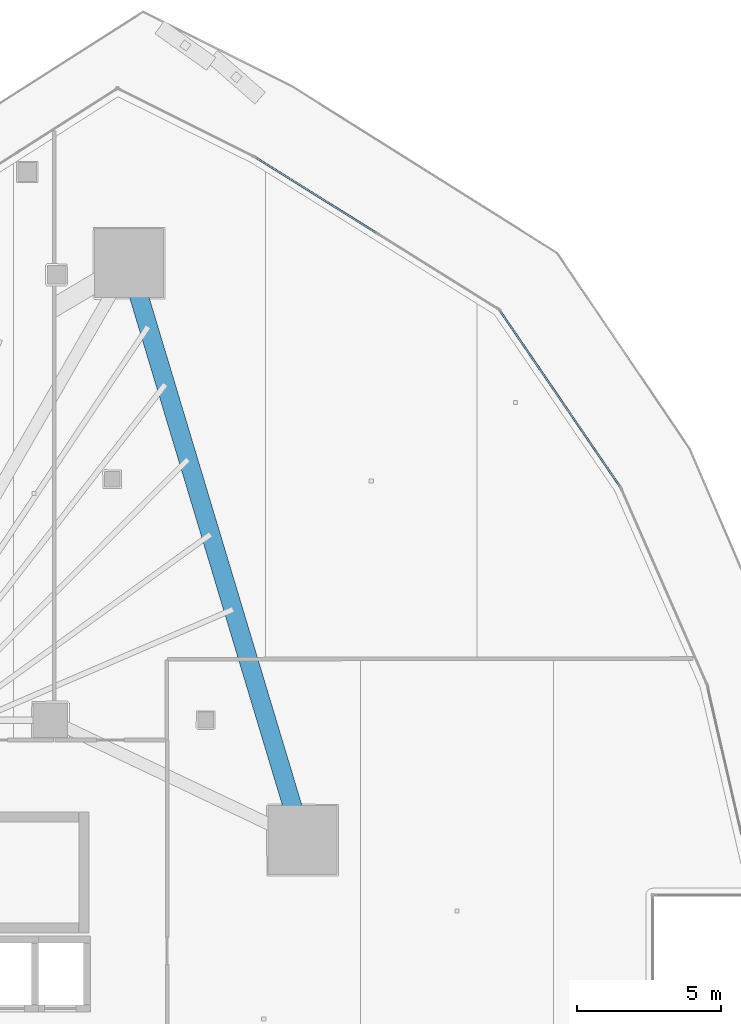
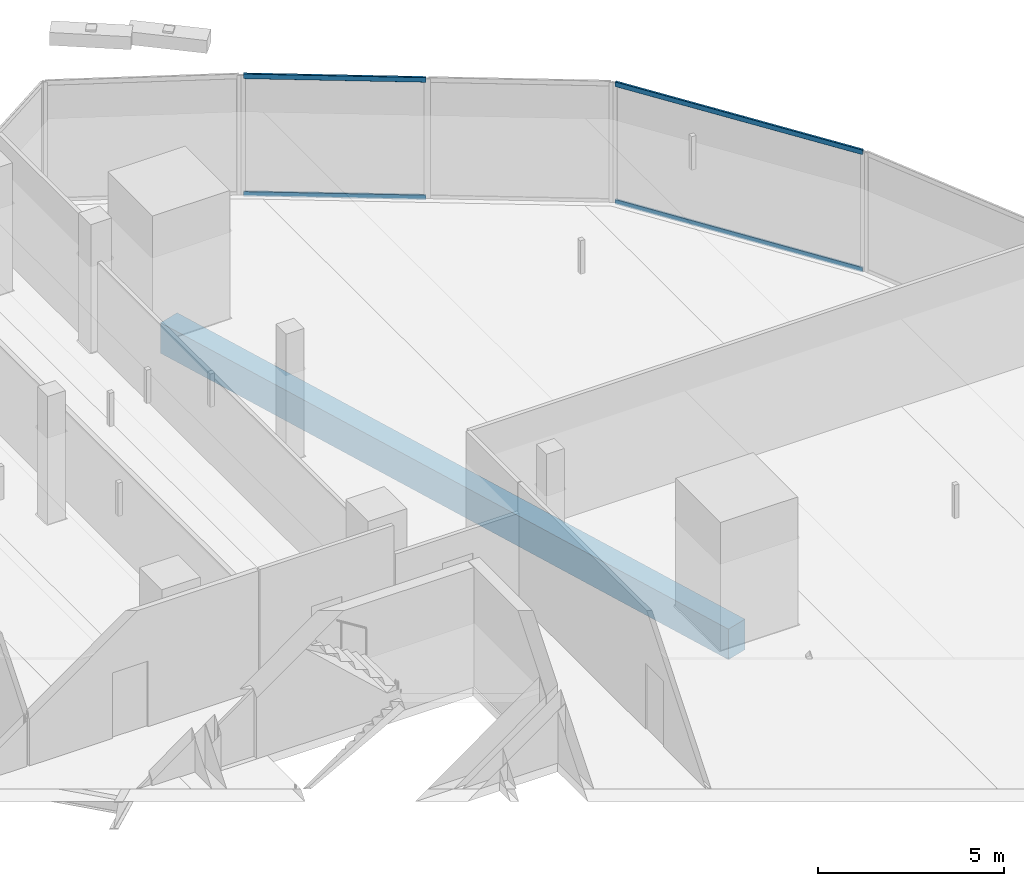
# One storey, part 21 of 44: 4 members, 1 beam, 2 elements without a shape of their own.
"""IFC4 building model written with IfcOpenShell, lengths in metres."""

import ifcopenshell
import ifcopenshell.guid

model = None  # the IFC model being written
_history = None  # IfcOwnerHistory: only IFC2X3 demands one
_inside = {}  # id of a spatial element -> (the spatial element, [elements in it])
_under = {}  # id of a project, library or spatial element -> (it, [spatial elements below it])
_declared = {}  # id of a project -> (the project, [libraries it declares])
_typed = {}  # id of a type object -> (the type object, [elements of that type])
_made_of = {}  # id of a material, layer set ... -> (it, [elements and type objects made of it])


def new_model(schema):
    """Start an empty IFC model of exactly this schema.

    Asked for "IFC4X3", IfcOpenShell would pick the latest addendum, in which some entities
    have other attributes; the version numbers below select the first issue.
    IFC2X3 requires an IfcOwnerHistory on every rooted entity: one is made here for all.
    """
    global model, _history
    if schema == "IFC4X3":
        model = ifcopenshell.file(schema_version=(4, 3, 0, 0))
    else:
        model = ifcopenshell.file(schema=schema)
    _inside.clear()
    _under.clear()
    _declared.clear()
    _typed.clear()
    _made_of.clear()
    _history = None
    if model.schema == "IFC2X3":
        org = make("IfcOrganization", Name="unknown")
        user = make(
            "IfcPersonAndOrganization",
            ThePerson=make("IfcPerson", FamilyName="unknown"),
            TheOrganization=org,
        )
        app = make(
            "IfcApplication",
            ApplicationDeveloper=org,
            Version="unknown",
            ApplicationFullName="unknown",
            ApplicationIdentifier="unknown",
        )
        _history = make(
            "IfcOwnerHistory",
            OwningUser=user,
            OwningApplication=app,
            ChangeAction="ADDED",
            CreationDate=0,
        )
    return model


def make(cls, **values):
    """One entity of the class cls with the attributes given. An attribute that is None is left unset."""
    return model.create_entity(
        cls, **{name: value for name, value in values.items() if value is not None}
    )


def rooted(cls, **values):
    """An entity with a GlobalId (a new one), such as an element, a storey or a relation."""
    return make(cls, GlobalId=ifcopenshell.guid.new(), OwnerHistory=_history, **values)


def si_unit(unit_type, name, prefix=None):
    """IfcSIUnit, for example si_unit("LENGTHUNIT", "METRE", prefix="MILLI")."""
    return make("IfcSIUnit", UnitType=unit_type, Prefix=prefix, Name=name)


def assignment(units):
    """IfcUnitAssignment: the units of a project."""
    return None if units is None else make("IfcUnitAssignment", Units=units)


def point(xyz):
    """IfcCartesianPoint."""
    return None if xyz is None else make("IfcCartesianPoint", Coordinates=xyz)


def direction(xyz):
    """IfcDirection."""
    return None if xyz is None else make("IfcDirection", DirectionRatios=xyz)


def frame(location, z_axis=None, x_axis=None):
    """IfcAxis2Placement3D, a coordinate frame: its origin and axes. An axis left out is left unset."""
    return make(
        "IfcAxis2Placement3D",
        Location=point(location),
        Axis=direction(z_axis),
        RefDirection=direction(x_axis),
    )


def frame_2d(location, x_axis=None):
    """IfcAxis2Placement2D, a coordinate frame in the plane: its origin and x axis."""
    return make(
        "IfcAxis2Placement2D", Location=point(location), RefDirection=direction(x_axis)
    )


def origin():
    """The frame at (0, 0, 0) with its axes left unset."""
    return frame((0.0, 0.0, 0.0))


def origin_2d():
    """The frame at (0, 0) in the plane with its x axis left unset."""
    return frame_2d((0.0, 0.0))


def place(relative_to, where):
    """IfcLocalPlacement: puts the frame where relative to a parent placement (None: the world)."""
    return make(
        "IfcLocalPlacement", PlacementRelTo=relative_to, RelativePlacement=where
    )


def context(
    kind, dimensions, precision=None, world=None, true_north=None, identifier=None
):
    """IfcGeometricRepresentationContext, for example the 3D "Model" context."""
    return make(
        "IfcGeometricRepresentationContext",
        ContextIdentifier=identifier,
        ContextType=kind,
        CoordinateSpaceDimension=dimensions,
        Precision=precision,
        WorldCoordinateSystem=world,
        TrueNorth=true_north,
    )


def subcontext(parent, identifier, kind, view, scale=None):
    """IfcGeometricRepresentationSubContext, for example "Body" below "Model"."""
    return make(
        "IfcGeometricRepresentationSubContext",
        ContextIdentifier=identifier,
        ContextType=kind,
        ParentContext=parent,
        TargetScale=scale,
        TargetView=view,
    )


def project(units=None, contexts=None):
    """IfcProject with its units and contexts."""
    return rooted(
        "IfcProject",
        Name="project",
        RepresentationContexts=contexts,
        UnitsInContext=assignment(units),
    )


def spatial(cls, under=None, at=None, **own):
    """A site, building, storey or space (cls), placed at a placement, below another one or the project."""
    s = rooted(cls, ObjectPlacement=at, **own)
    if under is not None:
        _under.setdefault(under.id(), (under, []))[1].append(s)
    return s


def profile(cls, at=None, kind="AREA", **sizes):
    """A parametric profile (cls). Its sizes go by their IFC names, for example OverallWidth=200.0."""
    return make(cls, ProfileType=kind, Position=at, **sizes)


def rectangle(**sizes):
    """IfcRectangleProfileDef."""
    return profile("IfcRectangleProfileDef", **sizes)


def hollow_rectangle(**sizes):
    """IfcRectangleHollowProfileDef."""
    return profile("IfcRectangleHollowProfileDef", **sizes)


def extrude(swept, where, along, depth):
    """IfcExtrudedAreaSolid: the profile swept, set in the frame where, extruded along a direction by depth."""
    return make(
        "IfcExtrudedAreaSolid",
        SweptArea=swept,
        Position=where,
        ExtrudedDirection=direction(along),
        Depth=depth,
    )


def shape(context_of_items, identifier, shape_type, items):
    """IfcShapeRepresentation: the items that make up one representation, for example the "Body"."""
    return make(
        "IfcShapeRepresentation",
        ContextOfItems=context_of_items,
        RepresentationIdentifier=identifier,
        RepresentationType=shape_type,
        Items=items,
    )


def material(Name=None, Category=None):
    """IfcMaterial."""
    return make("IfcMaterial", Name=Name, Category=Category)


def layer(
    of_material, thickness, ventilated=None, Name=None, Category=None, Priority=None
):
    """IfcMaterialLayer: one layer of a wall or slab, of a material (None: an air gap)."""
    return make(
        "IfcMaterialLayer",
        Material=of_material,
        LayerThickness=thickness,
        IsVentilated=ventilated,
        Name=Name,
        Category=Category,
        Priority=Priority,
    )


def layer_set(layers, Name=None):
    """IfcMaterialLayerSet."""
    return make("IfcMaterialLayerSet", MaterialLayers=layers, LayerSetName=Name)


def material_profile(
    of_material, cross_section, Name=None, Category=None, Priority=None
):
    """IfcMaterialProfile: a cross section and its material."""
    return make(
        "IfcMaterialProfile",
        Name=Name,
        Material=of_material,
        Profile=cross_section,
        Priority=Priority,
        Category=Category,
    )


def profile_set(profiles, Name=None, composite=None):
    """IfcMaterialProfileSet."""
    return make(
        "IfcMaterialProfileSet",
        Name=Name,
        MaterialProfiles=profiles,
        CompositeProfile=composite,
    )


def made_of(thing, what):
    """Note that an element or type object is made of a material, layer set ...; save() writes the relation."""
    if what is not None:
        _made_of.setdefault(what.id(), (what, []))[1].append(thing)
    return thing


def type_object(cls, material=None, **own):
    """A type object (cls), such as IfcWallType, which elements share."""
    return made_of(rooted(cls, **own), material)


def element(
    cls,
    number,
    at=None,
    inside=None,
    cuts=None,
    type_object=None,
    material=None,
    context=None,
    identifier="Body",
    shape_type=None,
    held_by="IfcProductDefinitionShape",
    body=None,
    shapes=None,
    **own,
):
    """One element of the class cls, such as IfcWall. Its Tag is "e" and its number.

    at: its placement. inside: the storey or other place that contains it. cuts: it is an
    opening in that element (IfcRelVoidsElement). A single representation is given by context,
    identifier, shape_type and body (its items); several are given by shapes. held_by: the class
    of the entity that holds the representations. save() writes the other relations.
    """
    e = rooted(cls, Tag="e%d" % number, ObjectPlacement=at, **own)
    if body is not None:
        shapes = [shape(context, identifier, shape_type, body)]
    if shapes is not None:
        e.Representation = make(held_by, Representations=shapes)
    if inside is not None:
        _inside.setdefault(inside.id(), (inside, []))[1].append(e)
    if cuts is not None:
        rooted(
            "IfcRelVoidsElement", RelatingBuildingElement=cuts, RelatedOpeningElement=e
        )
    if type_object is not None:
        _typed.setdefault(type_object.id(), (type_object, []))[1].append(e)
    return made_of(e, material)


def aggregate(whole, parts):
    """IfcRelAggregates: a whole, such as a stair, and the parts it consists of."""
    return rooted("IfcRelAggregates", RelatingObject=whole, RelatedObjects=parts)


def save(model, path):
    """Write the relations noted so far, then the file.

    IfcRelAggregates (storeys below a building ...), IfcRelContainedInSpatialStructure (elements
    in a storey), IfcRelDefinesByType, IfcRelAssociatesMaterial and IfcRelDeclares: one each for
    every whole, place, type object, material and project.
    """
    for whole, parts in _under.values():
        aggregate(whole, parts)
    for where, things in _inside.values():
        rooted(
            "IfcRelContainedInSpatialStructure",
            RelatedElements=things,
            RelatingStructure=where,
        )
    for kind, things in _typed.values():
        rooted("IfcRelDefinesByType", RelatedObjects=things, RelatingType=kind)
    for what, things in _made_of.values():
        rooted("IfcRelAssociatesMaterial", RelatedObjects=things, RelatingMaterial=what)
    for by, libraries in _declared.values():
        rooted("IfcRelDeclares", RelatingContext=by, RelatedDefinitions=libraries)
    model.write(path)


model = new_model("IFC4")

# Units and contexts
model_context = context("Model", 3, precision=1e-05, world=origin(), true_north=direction((0.0, 1.0)))
body_context = subcontext(model_context, "Body", "Model", "MODEL_VIEW")
ifc_project = project(units=[si_unit("LENGTHUNIT", "METRE"), si_unit("AREAUNIT", "SQUARE_METRE"), si_unit("VOLUMEUNIT", "CUBIC_METRE"), si_unit("PLANEANGLEUNIT", "RADIAN"), si_unit("MASSUNIT", "GRAM", prefix="KILO")], contexts=[model_context])

# Site, building, storey
site_placement = place(None, origin())
site = spatial("IfcSite", under=ifc_project, at=site_placement, CompositionType="ELEMENT")
building_placement = place(site_placement, origin())
building = spatial("IfcBuilding", under=site, at=building_placement, Name="Qorvath Tower", CompositionType="ELEMENT")
storey_placement = place(building_placement, frame((0.0, 0.0, 45.0)))
storey = spatial("IfcBuildingStorey", under=building, at=storey_placement, Name="L09", CompositionType="ELEMENT", Elevation=45.0)

# Beam
ifc_material_1 = material(Name="Concrete C50/60", Category="concrete")
ifc_material_profile_1 = material_profile(ifc_material_1, rectangle(XDim=0.64990234375, YDim=1.0, at=origin_2d()), Name="RCB 1000x650")
ifc_profile_set_1 = profile_set([ifc_material_profile_1], Name="Concrete C50/60")
beam_type = type_object("IfcBeamType", Name="BM-RCB1", PredefinedType="SPANDREL", material=ifc_profile_set_1)
beam_placement = place(storey_placement, frame((-8.430419921875, 7.2763671875, -0.780029296875), z_axis=(-0.288118908799, 0.957594639914, 0.0), x_axis=(-0.957594639914, -0.288118908799, 0.0)))
element("IfcBeam", 1, at=beam_placement, inside=storey, type_object=beam_type, Name="Perimeter Loggia Frame Beam MC5-MC6 L09", PredefinedType="SPANDREL", context=body_context, shape_type="SweptSolid", body=[
    extrude(rectangle(XDim=0.64990234375, YDim=1.0, at=origin_2d()), origin(), (0.0, 0.0, 1.0), 20.942626953125),
])

# Curtain wall, members
ifc_material_2 = material(Name="Anodised aluminium and triple low-E glass", Category="aluminium")
ifc_layer = layer(ifc_material_2, 0.179931640625)
ifc_layer_set = layer_set([ifc_layer], Name="CW-SYS-2")
curtain_wall_type = type_object("IfcCurtainWallType", Name="CW-SYS-2", PredefinedType="NOTDEFINED", material=ifc_layer_set)
curtain_wall_1_placement = place(storey_placement, origin())
curtain_wall_1 = element("IfcCurtainWall", 2, at=curtain_wall_1_placement, inside=storey, type_object=curtain_wall_type, Name="Curtain Wall CW-2 CW-T-L09-13.1", PredefinedType="NOTDEFINED")
ifc_material_3 = material(Name="Anodised aluminium 6063-T6", Category="aluminium")
ifc_material_profile_2 = material_profile(ifc_material_3, hollow_rectangle(XDim=0.06494140625, YDim=0.159912109375, WallThickness=0.00341796875, InnerFilletRadius=0.00341796875, OuterFilletRadius=0.007080078125, at=origin_2d()), Name="CWT 160x65")
ifc_profile_set_2 = profile_set([ifc_material_profile_2], Name="Anodised aluminium 6063-T6")
member_type = type_object("IfcMemberType", Name="CWT-160", PredefinedType="USERDEFINED", material=ifc_profile_set_2)
member_1_placement = place(storey_placement, frame((2.586669921875, 19.5830078125, 0.032470703125), z_axis=(-0.56390431925, 0.825840129039, 0.0), x_axis=(-0.825840129039, -0.56390431925, 0.0)))
member_1 = element("IfcMember", 3, at=member_1_placement, type_object=member_type, Name="CW-2 transom 1.1", ObjectType="TRANSOM", PredefinedType="USERDEFINED", context=body_context, shape_type="SweptSolid", body=[
    extrude(hollow_rectangle(XDim=0.06494140625, YDim=0.159912109375, WallThickness=0.00341796875, InnerFilletRadius=0.00341796875, OuterFilletRadius=0.007080078125, at=origin_2d()), origin(), (0.0, 0.0, 1.0), 7.366943359375),
])
member_2_placement = place(storey_placement, frame((2.586669921875, 19.5830078125, 3.887451171875), z_axis=(-0.56390431925, 0.825840129039, 0.0), x_axis=(-0.825840129039, -0.56390431925, 0.0)))
member_2 = element("IfcMember", 4, at=member_2_placement, type_object=member_type, Name="CW-2 transom 1.2", ObjectType="TRANSOM", PredefinedType="USERDEFINED", context=body_context, shape_type="SweptSolid", body=[
    extrude(hollow_rectangle(XDim=0.06494140625, YDim=0.159912109375, WallThickness=0.00341796875, InnerFilletRadius=0.00341796875, OuterFilletRadius=0.007080078125, at=origin_2d()), origin(), (0.0, 0.0, 1.0), 7.366943359375),
])
aggregate(curtain_wall_1, [member_1, member_2])

curtain_wall_2_placement = place(storey_placement, origin())
curtain_wall_2 = element("IfcCurtainWall", 5, at=curtain_wall_2_placement, inside=storey, type_object=curtain_wall_type, Name="Curtain Wall CW-2 CW-T-L09-14.1", PredefinedType="NOTDEFINED")
member_3_placement = place(storey_placement, frame((-5.87548828125, 28.388427734375, 0.032470703125), z_axis=(-0.848174397851, 0.52971708565, 0.0), x_axis=(-0.52971708565, -0.848174397851, 0.0)))
member_3 = element("IfcMember", 6, at=member_3_placement, type_object=member_type, Name="CW-2 transom 2.1", ObjectType="TRANSOM", PredefinedType="USERDEFINED", context=body_context, shape_type="SweptSolid", body=[
    extrude(hollow_rectangle(XDim=0.06494140625, YDim=0.159912109375, WallThickness=0.00341796875, InnerFilletRadius=0.00341796875, OuterFilletRadius=0.007080078125, at=origin_2d()), origin(), (0.0, 0.0, 1.0), 4.90576171875),
])
member_4_placement = place(storey_placement, frame((-5.87548828125, 28.388427734375, 3.887451171875), z_axis=(-0.848174397851, 0.52971708565, 0.0), x_axis=(-0.52971708565, -0.848174397851, 0.0)))
member_4 = element("IfcMember", 7, at=member_4_placement, type_object=member_type, Name="CW-2 transom 2.2", ObjectType="TRANSOM", PredefinedType="USERDEFINED", context=body_context, shape_type="SweptSolid", body=[
    extrude(hollow_rectangle(XDim=0.06494140625, YDim=0.159912109375, WallThickness=0.00341796875, InnerFilletRadius=0.00341796875, OuterFilletRadius=0.007080078125, at=origin_2d()), origin(), (0.0, 0.0, 1.0), 4.90576171875),
])
aggregate(curtain_wall_2, [member_3, member_4])

save(model, "model.ifc")
